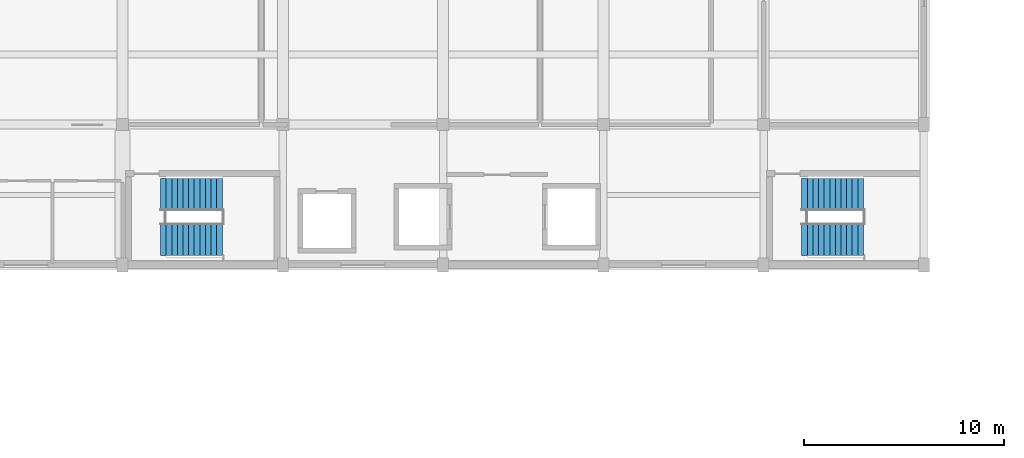
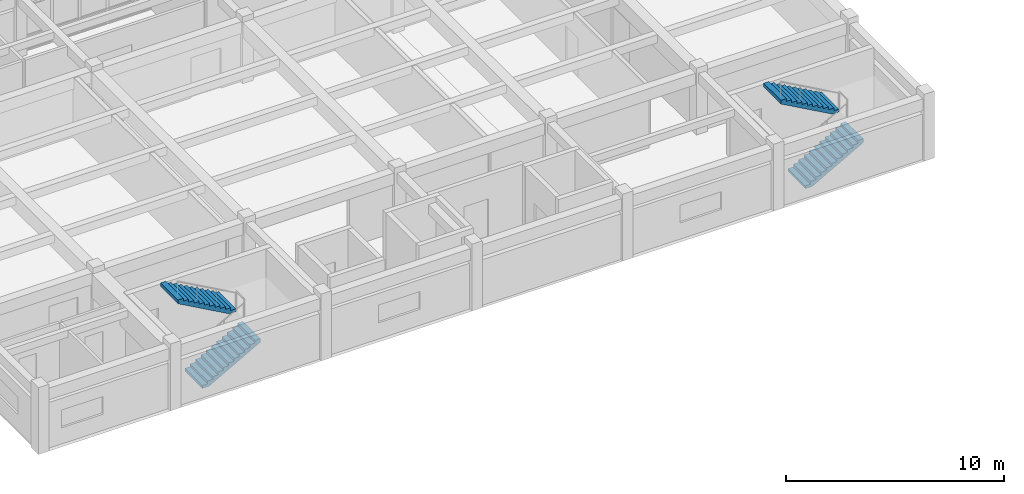
# One storey, part 14 of 17: 4 stair flights, 2 elements without a shape of their own.
"""IFC4 building model written with IfcOpenShell, lengths in metres."""

import ifcopenshell
import ifcopenshell.guid

model = None  # the IFC model being written
_history = None  # IfcOwnerHistory: only IFC2X3 demands one
_inside = {}  # id of a spatial element -> (the spatial element, [elements in it])
_under = {}  # id of a project, library or spatial element -> (it, [spatial elements below it])
_declared = {}  # id of a project -> (the project, [libraries it declares])
_typed = {}  # id of a type object -> (the type object, [elements of that type])
_made_of = {}  # id of a material, layer set ... -> (it, [elements and type objects made of it])


def new_model(schema):
    """Start an empty IFC model of exactly this schema.

    Asked for "IFC4X3", IfcOpenShell would pick the latest addendum, in which some entities
    have other attributes; the version numbers below select the first issue.
    IFC2X3 requires an IfcOwnerHistory on every rooted entity: one is made here for all.
    """
    global model, _history
    if schema == "IFC4X3":
        model = ifcopenshell.file(schema_version=(4, 3, 0, 0))
    else:
        model = ifcopenshell.file(schema=schema)
    _inside.clear()
    _under.clear()
    _declared.clear()
    _typed.clear()
    _made_of.clear()
    _history = None
    if model.schema == "IFC2X3":
        org = make("IfcOrganization", Name="unknown")
        user = make(
            "IfcPersonAndOrganization",
            ThePerson=make("IfcPerson", FamilyName="unknown"),
            TheOrganization=org,
        )
        app = make(
            "IfcApplication",
            ApplicationDeveloper=org,
            Version="unknown",
            ApplicationFullName="unknown",
            ApplicationIdentifier="unknown",
        )
        _history = make(
            "IfcOwnerHistory",
            OwningUser=user,
            OwningApplication=app,
            ChangeAction="ADDED",
            CreationDate=0,
        )
    return model


def make(cls, **values):
    """One entity of the class cls with the attributes given. An attribute that is None is left unset."""
    return model.create_entity(
        cls, **{name: value for name, value in values.items() if value is not None}
    )


def rooted(cls, **values):
    """An entity with a GlobalId (a new one), such as an element, a storey or a relation."""
    return make(cls, GlobalId=ifcopenshell.guid.new(), OwnerHistory=_history, **values)


def si_unit(unit_type, name, prefix=None):
    """IfcSIUnit, for example si_unit("LENGTHUNIT", "METRE", prefix="MILLI")."""
    return make("IfcSIUnit", UnitType=unit_type, Prefix=prefix, Name=name)


def assignment(units):
    """IfcUnitAssignment: the units of a project."""
    return None if units is None else make("IfcUnitAssignment", Units=units)


def point(xyz):
    """IfcCartesianPoint."""
    return None if xyz is None else make("IfcCartesianPoint", Coordinates=xyz)


def direction(xyz):
    """IfcDirection."""
    return None if xyz is None else make("IfcDirection", DirectionRatios=xyz)


def frame(location, z_axis=None, x_axis=None):
    """IfcAxis2Placement3D, a coordinate frame: its origin and axes. An axis left out is left unset."""
    return make(
        "IfcAxis2Placement3D",
        Location=point(location),
        Axis=direction(z_axis),
        RefDirection=direction(x_axis),
    )


def origin():
    """The frame at (0, 0, 0) with its axes left unset."""
    return frame((0.0, 0.0, 0.0))


def place(relative_to, where):
    """IfcLocalPlacement: puts the frame where relative to a parent placement (None: the world)."""
    return make(
        "IfcLocalPlacement", PlacementRelTo=relative_to, RelativePlacement=where
    )


def context(
    kind, dimensions, precision=None, world=None, true_north=None, identifier=None
):
    """IfcGeometricRepresentationContext, for example the 3D "Model" context."""
    return make(
        "IfcGeometricRepresentationContext",
        ContextIdentifier=identifier,
        ContextType=kind,
        CoordinateSpaceDimension=dimensions,
        Precision=precision,
        WorldCoordinateSystem=world,
        TrueNorth=true_north,
    )


def subcontext(parent, identifier, kind, view, scale=None):
    """IfcGeometricRepresentationSubContext, for example "Body" below "Model"."""
    return make(
        "IfcGeometricRepresentationSubContext",
        ContextIdentifier=identifier,
        ContextType=kind,
        ParentContext=parent,
        TargetScale=scale,
        TargetView=view,
    )


def project(units=None, contexts=None):
    """IfcProject with its units and contexts."""
    return rooted(
        "IfcProject",
        Name="project",
        RepresentationContexts=contexts,
        UnitsInContext=assignment(units),
    )


def spatial(cls, under=None, at=None, **own):
    """A site, building, storey or space (cls), placed at a placement, below another one or the project."""
    s = rooted(cls, ObjectPlacement=at, **own)
    if under is not None:
        _under.setdefault(under.id(), (under, []))[1].append(s)
    return s


def polyline(points):
    """IfcPolyline through the points."""
    return make("IfcPolyline", Points=[point(p) for p in points])


def outline(outer, holes=None, kind="AREA"):
    """IfcArbitraryClosedProfileDef: a profile drawn as a closed curve; with holes, ...WithVoids."""
    if holes is None:
        return make("IfcArbitraryClosedProfileDef", ProfileType=kind, OuterCurve=outer)
    return make(
        "IfcArbitraryProfileDefWithVoids",
        ProfileType=kind,
        OuterCurve=outer,
        InnerCurves=holes,
    )


def extrude(swept, where, along, depth):
    """IfcExtrudedAreaSolid: the profile swept, set in the frame where, extruded along a direction by depth."""
    return make(
        "IfcExtrudedAreaSolid",
        SweptArea=swept,
        Position=where,
        ExtrudedDirection=direction(along),
        Depth=depth,
    )


def shape(context_of_items, identifier, shape_type, items):
    """IfcShapeRepresentation: the items that make up one representation, for example the "Body"."""
    return make(
        "IfcShapeRepresentation",
        ContextOfItems=context_of_items,
        RepresentationIdentifier=identifier,
        RepresentationType=shape_type,
        Items=items,
    )


def material(Name=None, Category=None):
    """IfcMaterial."""
    return make("IfcMaterial", Name=Name, Category=Category)


def made_of(thing, what):
    """Note that an element or type object is made of a material, layer set ...; save() writes the relation."""
    if what is not None:
        _made_of.setdefault(what.id(), (what, []))[1].append(thing)
    return thing


def type_object(cls, material=None, **own):
    """A type object (cls), such as IfcWallType, which elements share."""
    return made_of(rooted(cls, **own), material)


def element(
    cls,
    number,
    at=None,
    inside=None,
    cuts=None,
    type_object=None,
    material=None,
    context=None,
    identifier="Body",
    shape_type=None,
    held_by="IfcProductDefinitionShape",
    body=None,
    shapes=None,
    **own,
):
    """One element of the class cls, such as IfcWall. Its Tag is "e" and its number.

    at: its placement. inside: the storey or other place that contains it. cuts: it is an
    opening in that element (IfcRelVoidsElement). A single representation is given by context,
    identifier, shape_type and body (its items); several are given by shapes. held_by: the class
    of the entity that holds the representations. save() writes the other relations.
    """
    e = rooted(cls, Tag="e%d" % number, ObjectPlacement=at, **own)
    if body is not None:
        shapes = [shape(context, identifier, shape_type, body)]
    if shapes is not None:
        e.Representation = make(held_by, Representations=shapes)
    if inside is not None:
        _inside.setdefault(inside.id(), (inside, []))[1].append(e)
    if cuts is not None:
        rooted(
            "IfcRelVoidsElement", RelatingBuildingElement=cuts, RelatedOpeningElement=e
        )
    if type_object is not None:
        _typed.setdefault(type_object.id(), (type_object, []))[1].append(e)
    return made_of(e, material)


def aggregate(whole, parts):
    """IfcRelAggregates: a whole, such as a stair, and the parts it consists of."""
    return rooted("IfcRelAggregates", RelatingObject=whole, RelatedObjects=parts)


def save(model, path):
    """Write the relations noted so far, then the file.

    IfcRelAggregates (storeys below a building ...), IfcRelContainedInSpatialStructure (elements
    in a storey), IfcRelDefinesByType, IfcRelAssociatesMaterial and IfcRelDeclares: one each for
    every whole, place, type object, material and project.
    """
    for whole, parts in _under.values():
        aggregate(whole, parts)
    for where, things in _inside.values():
        rooted(
            "IfcRelContainedInSpatialStructure",
            RelatedElements=things,
            RelatingStructure=where,
        )
    for kind, things in _typed.values():
        rooted("IfcRelDefinesByType", RelatedObjects=things, RelatingType=kind)
    for what, things in _made_of.values():
        rooted("IfcRelAssociatesMaterial", RelatedObjects=things, RelatingMaterial=what)
    for by, libraries in _declared.values():
        rooted("IfcRelDeclares", RelatingContext=by, RelatedDefinitions=libraries)
    model.write(path)


model = new_model("IFC4")

# Units and contexts
model_context = context("Model", 3, precision=1e-05, world=origin(), true_north=direction((0.0, 1.0)))
body_context = subcontext(model_context, "Body", "Model", "MODEL_VIEW")
ifc_project = project(units=[si_unit("LENGTHUNIT", "METRE"), si_unit("AREAUNIT", "SQUARE_METRE"), si_unit("VOLUMEUNIT", "CUBIC_METRE"), si_unit("PLANEANGLEUNIT", "RADIAN"), si_unit("MASSUNIT", "GRAM", prefix="KILO")], contexts=[model_context])

# Site, building, storey
site_placement = place(None, origin())
site = spatial("IfcSite", under=ifc_project, at=site_placement, CompositionType="ELEMENT")
building_placement = place(site_placement, origin())
building = spatial("IfcBuilding", under=site, at=building_placement, Name="Naurynzar Civic Courthouse", CompositionType="ELEMENT")
storey_placement = place(building_placement, frame((0.0, 0.0, 29.550048828125)))
storey = spatial("IfcBuildingStorey", under=building, at=storey_placement, Name="L08", CompositionType="ELEMENT", Elevation=29.550048828125)

# Stair, stair flights
ifc_material_1 = material(Name="Concrete C35/45", Category="concrete")
stair_type = type_object("IfcStairType", Name="STAIR-CORE-1600", PredefinedType="TWO_STRAIGHT_RUN_STAIR", material=ifc_material_1)
stair_1_placement = place(storey_placement, origin())
stair_1 = element("IfcStair", 1, at=stair_1_placement, inside=storey, type_object=stair_type, Name="Enclosed escape stair ST-V2A L08", PredefinedType="TWO_STRAIGHT_RUN_STAIR")
ifc_material_2 = material(Name="Concrete C35/45", Category="concrete")
stair_flight_type = type_object("IfcStairFlightType", Name="FLIGHT-RC-1600", PredefinedType="STRAIGHT", material=ifc_material_2)
stair_flight_1_placement = place(storey_placement, frame((70.89990234375, 45.280029296875, 0.0), z_axis=(0.0, 0.0, 1.0), x_axis=(1.0, 0.0, 0.0)))
stair_flight_1 = element("IfcStairFlight", 2, at=stair_flight_1_placement, type_object=stair_flight_type, Name="ST-V2A-L08 flight 1", NumberOfRisers=12, NumberOfTreads=11, PredefinedType="STRAIGHT", RiserHeight=0.15625, TreadLength=0.28, context=body_context, shape_type="SweptSolid", body=[
    extrude(outline(polyline([(0.0, 0.0), (0.0, 0.15625), (0.280029296875, 0.15625), (0.280029296875, 0.3125), (0.56005859375, 0.3125), (0.56005859375, 0.46875), (0.840087890625, 0.46875), (0.840087890625, 0.625), (1.1201171875, 0.625), (1.1201171875, 0.78125), (1.39990234375, 0.78125), (1.39990234375, 0.9375), (1.679931640625, 0.9375), (1.679931640625, 1.09375), (1.9599609375, 1.09375), (1.9599609375, 1.25), (2.239990234375, 1.25), (2.239990234375, 1.40625), (2.52001953125, 1.40625), (2.52001953125, 1.5625), (2.800048828125, 1.5625), (2.800048828125, 1.71875), (3.080078125, 1.71875), (3.080078125, 1.875), (3.080078125, 1.5126953125), (0.369140625, 0.0), (0.0, 0.0)])), frame((0.0, 0.800048828125, 0.0), z_axis=(0.0, -1.0, 0.0), x_axis=(1.0, 0.0, 0.0)), (0.0, 0.0, 1.0), 1.60009765625),
])
stair_flight_2_placement = place(storey_placement, frame((73.97998046875, 47.52001953125, 1.875), z_axis=(0.0, 0.0, 1.0), x_axis=(-1.0, 0.0, 0.0)))
stair_flight_2 = element("IfcStairFlight", 3, at=stair_flight_2_placement, type_object=stair_flight_type, Name="ST-V2A-L08 flight 2", NumberOfRisers=12, NumberOfTreads=11, PredefinedType="STRAIGHT", RiserHeight=0.15625, TreadLength=0.28, context=body_context, shape_type="SweptSolid", body=[
    extrude(outline(polyline([(0.0, 0.0), (0.0, 0.15625), (0.280029296875, 0.15625), (0.280029296875, 0.3125), (0.56005859375, 0.3125), (0.56005859375, 0.46875), (0.840087890625, 0.46875), (0.840087890625, 0.625), (1.1201171875, 0.625), (1.1201171875, 0.78125), (1.39990234375, 0.78125), (1.39990234375, 0.9375), (1.679931640625, 0.9375), (1.679931640625, 1.09375), (1.9599609375, 1.09375), (1.9599609375, 1.25), (2.239990234375, 1.25), (2.239990234375, 1.40625), (2.52001953125, 1.40625), (2.52001953125, 1.5625), (2.800048828125, 1.5625), (2.800048828125, 1.71875), (3.080078125, 1.71875), (3.080078125, 1.875), (3.080078125, 1.5126953125), (0.369140625, 0.0), (0.0, 0.0)])), frame((0.0, 0.800048828125, 0.0), z_axis=(0.0, -1.0, 0.0), x_axis=(1.0, 0.0, 0.0)), (0.0, 0.0, 1.0), 1.60009765625),
])
aggregate(stair_1, [stair_flight_1, stair_flight_2])

stair_2_placement = place(storey_placement, origin())
stair_2 = element("IfcStair", 4, at=stair_2_placement, inside=storey, type_object=stair_type, Name="Enclosed escape stair ST-V2B L08", PredefinedType="TWO_STRAIGHT_RUN_STAIR")
stair_flight_3_placement = place(storey_placement, frame((102.89990234375, 45.280029296875, 0.0), z_axis=(0.0, 0.0, 1.0), x_axis=(1.0, 0.0, 0.0)))
stair_flight_3 = element("IfcStairFlight", 5, at=stair_flight_3_placement, type_object=stair_flight_type, Name="ST-V2B-L08 flight 1", NumberOfRisers=12, NumberOfTreads=11, PredefinedType="STRAIGHT", RiserHeight=0.15625, TreadLength=0.28, context=body_context, shape_type="SweptSolid", body=[
    extrude(outline(polyline([(0.0, 0.0), (0.0, 0.15625), (0.280029296875, 0.15625), (0.280029296875, 0.3125), (0.56005859375, 0.3125), (0.56005859375, 0.46875), (0.840087890625, 0.46875), (0.840087890625, 0.625), (1.1201171875, 0.625), (1.1201171875, 0.78125), (1.39990234375, 0.78125), (1.39990234375, 0.9375), (1.679931640625, 0.9375), (1.679931640625, 1.09375), (1.9599609375, 1.09375), (1.9599609375, 1.25), (2.239990234375, 1.25), (2.239990234375, 1.40625), (2.52001953125, 1.40625), (2.52001953125, 1.5625), (2.800048828125, 1.5625), (2.800048828125, 1.71875), (3.080078125, 1.71875), (3.080078125, 1.875), (3.080078125, 1.5126953125), (0.369140625, 0.0), (0.0, 0.0)])), frame((0.0, 0.800048828125, 0.0), z_axis=(0.0, -1.0, 0.0), x_axis=(1.0, 0.0, 0.0)), (0.0, 0.0, 1.0), 1.60009765625),
])
stair_flight_4_placement = place(storey_placement, frame((105.97998046875, 47.52001953125, 1.875), z_axis=(0.0, 0.0, 1.0), x_axis=(-1.0, 0.0, 0.0)))
stair_flight_4 = element("IfcStairFlight", 6, at=stair_flight_4_placement, type_object=stair_flight_type, Name="ST-V2B-L08 flight 2", NumberOfRisers=12, NumberOfTreads=11, PredefinedType="STRAIGHT", RiserHeight=0.15625, TreadLength=0.28, context=body_context, shape_type="SweptSolid", body=[
    extrude(outline(polyline([(0.0, 0.0), (0.0, 0.15625), (0.280029296875, 0.15625), (0.280029296875, 0.3125), (0.56005859375, 0.3125), (0.56005859375, 0.46875), (0.840087890625, 0.46875), (0.840087890625, 0.625), (1.1201171875, 0.625), (1.1201171875, 0.78125), (1.39990234375, 0.78125), (1.39990234375, 0.9375), (1.679931640625, 0.9375), (1.679931640625, 1.09375), (1.9599609375, 1.09375), (1.9599609375, 1.25), (2.239990234375, 1.25), (2.239990234375, 1.40625), (2.52001953125, 1.40625), (2.52001953125, 1.5625), (2.800048828125, 1.5625), (2.800048828125, 1.71875), (3.080078125, 1.71875), (3.080078125, 1.875), (3.080078125, 1.5126953125), (0.369140625, 0.0), (0.0, 0.0)])), frame((0.0, 0.800048828125, 0.0), z_axis=(0.0, -1.0, 0.0), x_axis=(1.0, 0.0, 0.0)), (0.0, 0.0, 1.0), 1.60009765625),
])
aggregate(stair_2, [stair_flight_3, stair_flight_4])

save(model, "model.ifc")
